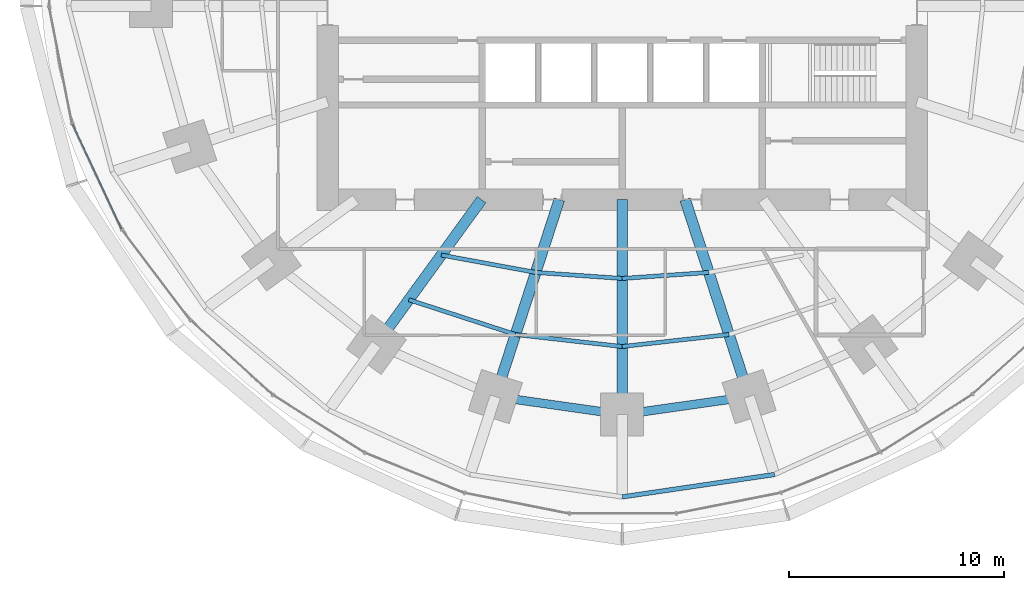
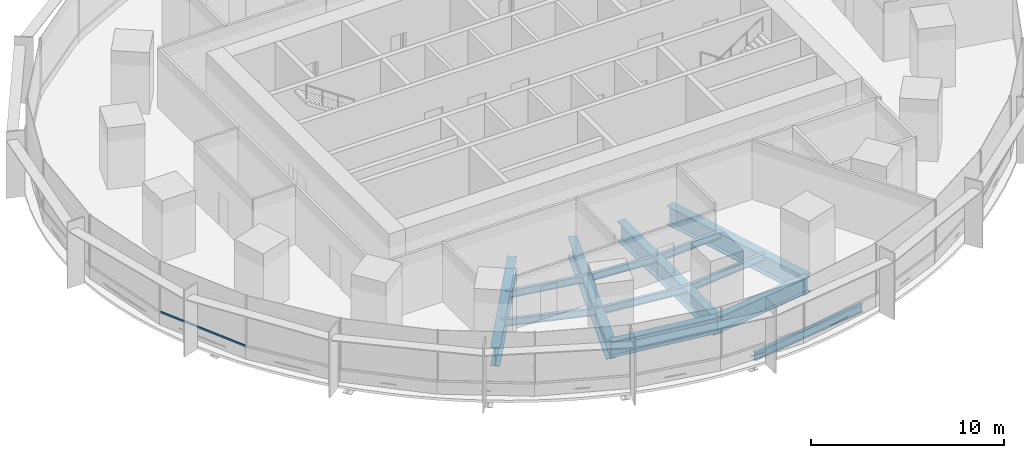
# One storey, part 3 of 15: 13 beams, 1 member, 1 element without a shape of its own.
"""IFC4 building model written with IfcOpenShell, lengths in metres."""

import ifcopenshell
import ifcopenshell.guid

model = None  # the IFC model being written
_history = None  # IfcOwnerHistory: only IFC2X3 demands one
_inside = {}  # id of a spatial element -> (the spatial element, [elements in it])
_under = {}  # id of a project, library or spatial element -> (it, [spatial elements below it])
_declared = {}  # id of a project -> (the project, [libraries it declares])
_typed = {}  # id of a type object -> (the type object, [elements of that type])
_made_of = {}  # id of a material, layer set ... -> (it, [elements and type objects made of it])


def new_model(schema):
    """Start an empty IFC model of exactly this schema.

    Asked for "IFC4X3", IfcOpenShell would pick the latest addendum, in which some entities
    have other attributes; the version numbers below select the first issue.
    IFC2X3 requires an IfcOwnerHistory on every rooted entity: one is made here for all.
    """
    global model, _history
    if schema == "IFC4X3":
        model = ifcopenshell.file(schema_version=(4, 3, 0, 0))
    else:
        model = ifcopenshell.file(schema=schema)
    _inside.clear()
    _under.clear()
    _declared.clear()
    _typed.clear()
    _made_of.clear()
    _history = None
    if model.schema == "IFC2X3":
        org = make("IfcOrganization", Name="unknown")
        user = make(
            "IfcPersonAndOrganization",
            ThePerson=make("IfcPerson", FamilyName="unknown"),
            TheOrganization=org,
        )
        app = make(
            "IfcApplication",
            ApplicationDeveloper=org,
            Version="unknown",
            ApplicationFullName="unknown",
            ApplicationIdentifier="unknown",
        )
        _history = make(
            "IfcOwnerHistory",
            OwningUser=user,
            OwningApplication=app,
            ChangeAction="ADDED",
            CreationDate=0,
        )
    return model


def make(cls, **values):
    """One entity of the class cls with the attributes given. An attribute that is None is left unset."""
    return model.create_entity(
        cls, **{name: value for name, value in values.items() if value is not None}
    )


def rooted(cls, **values):
    """An entity with a GlobalId (a new one), such as an element, a storey or a relation."""
    return make(cls, GlobalId=ifcopenshell.guid.new(), OwnerHistory=_history, **values)


def si_unit(unit_type, name, prefix=None):
    """IfcSIUnit, for example si_unit("LENGTHUNIT", "METRE", prefix="MILLI")."""
    return make("IfcSIUnit", UnitType=unit_type, Prefix=prefix, Name=name)


def assignment(units):
    """IfcUnitAssignment: the units of a project."""
    return None if units is None else make("IfcUnitAssignment", Units=units)


def point(xyz):
    """IfcCartesianPoint."""
    return None if xyz is None else make("IfcCartesianPoint", Coordinates=xyz)


def direction(xyz):
    """IfcDirection."""
    return None if xyz is None else make("IfcDirection", DirectionRatios=xyz)


def frame(location, z_axis=None, x_axis=None):
    """IfcAxis2Placement3D, a coordinate frame: its origin and axes. An axis left out is left unset."""
    return make(
        "IfcAxis2Placement3D",
        Location=point(location),
        Axis=direction(z_axis),
        RefDirection=direction(x_axis),
    )


def frame_2d(location, x_axis=None):
    """IfcAxis2Placement2D, a coordinate frame in the plane: its origin and x axis."""
    return make(
        "IfcAxis2Placement2D", Location=point(location), RefDirection=direction(x_axis)
    )


def origin():
    """The frame at (0, 0, 0) with its axes left unset."""
    return frame((0.0, 0.0, 0.0))


def origin_2d():
    """The frame at (0, 0) in the plane with its x axis left unset."""
    return frame_2d((0.0, 0.0))


def place(relative_to, where):
    """IfcLocalPlacement: puts the frame where relative to a parent placement (None: the world)."""
    return make(
        "IfcLocalPlacement", PlacementRelTo=relative_to, RelativePlacement=where
    )


def context(
    kind, dimensions, precision=None, world=None, true_north=None, identifier=None
):
    """IfcGeometricRepresentationContext, for example the 3D "Model" context."""
    return make(
        "IfcGeometricRepresentationContext",
        ContextIdentifier=identifier,
        ContextType=kind,
        CoordinateSpaceDimension=dimensions,
        Precision=precision,
        WorldCoordinateSystem=world,
        TrueNorth=true_north,
    )


def subcontext(parent, identifier, kind, view, scale=None):
    """IfcGeometricRepresentationSubContext, for example "Body" below "Model"."""
    return make(
        "IfcGeometricRepresentationSubContext",
        ContextIdentifier=identifier,
        ContextType=kind,
        ParentContext=parent,
        TargetScale=scale,
        TargetView=view,
    )


def project(units=None, contexts=None):
    """IfcProject with its units and contexts."""
    return rooted(
        "IfcProject",
        Name="project",
        RepresentationContexts=contexts,
        UnitsInContext=assignment(units),
    )


def spatial(cls, under=None, at=None, **own):
    """A site, building, storey or space (cls), placed at a placement, below another one or the project."""
    s = rooted(cls, ObjectPlacement=at, **own)
    if under is not None:
        _under.setdefault(under.id(), (under, []))[1].append(s)
    return s


def profile(cls, at=None, kind="AREA", **sizes):
    """A parametric profile (cls). Its sizes go by their IFC names, for example OverallWidth=200.0."""
    return make(cls, ProfileType=kind, Position=at, **sizes)


def rectangle(**sizes):
    """IfcRectangleProfileDef."""
    return profile("IfcRectangleProfileDef", **sizes)


def i_section(**sizes):
    """IfcIShapeProfileDef."""
    return profile("IfcIShapeProfileDef", **sizes)


def extrude(swept, where, along, depth):
    """IfcExtrudedAreaSolid: the profile swept, set in the frame where, extruded along a direction by depth."""
    return make(
        "IfcExtrudedAreaSolid",
        SweptArea=swept,
        Position=where,
        ExtrudedDirection=direction(along),
        Depth=depth,
    )


def shape(context_of_items, identifier, shape_type, items):
    """IfcShapeRepresentation: the items that make up one representation, for example the "Body"."""
    return make(
        "IfcShapeRepresentation",
        ContextOfItems=context_of_items,
        RepresentationIdentifier=identifier,
        RepresentationType=shape_type,
        Items=items,
    )


def material(Name=None, Category=None):
    """IfcMaterial."""
    return make("IfcMaterial", Name=Name, Category=Category)


def material_profile(
    of_material, cross_section, Name=None, Category=None, Priority=None
):
    """IfcMaterialProfile: a cross section and its material."""
    return make(
        "IfcMaterialProfile",
        Name=Name,
        Material=of_material,
        Profile=cross_section,
        Priority=Priority,
        Category=Category,
    )


def profile_set(profiles, Name=None, composite=None):
    """IfcMaterialProfileSet."""
    return make(
        "IfcMaterialProfileSet",
        Name=Name,
        MaterialProfiles=profiles,
        CompositeProfile=composite,
    )


def made_of(thing, what):
    """Note that an element or type object is made of a material, layer set ...; save() writes the relation."""
    if what is not None:
        _made_of.setdefault(what.id(), (what, []))[1].append(thing)
    return thing


def type_object(cls, material=None, **own):
    """A type object (cls), such as IfcWallType, which elements share."""
    return made_of(rooted(cls, **own), material)


def element(
    cls,
    number,
    at=None,
    inside=None,
    cuts=None,
    type_object=None,
    material=None,
    context=None,
    identifier="Body",
    shape_type=None,
    held_by="IfcProductDefinitionShape",
    body=None,
    shapes=None,
    **own,
):
    """One element of the class cls, such as IfcWall. Its Tag is "e" and its number.

    at: its placement. inside: the storey or other place that contains it. cuts: it is an
    opening in that element (IfcRelVoidsElement). A single representation is given by context,
    identifier, shape_type and body (its items); several are given by shapes. held_by: the class
    of the entity that holds the representations. save() writes the other relations.
    """
    e = rooted(cls, Tag="e%d" % number, ObjectPlacement=at, **own)
    if body is not None:
        shapes = [shape(context, identifier, shape_type, body)]
    if shapes is not None:
        e.Representation = make(held_by, Representations=shapes)
    if inside is not None:
        _inside.setdefault(inside.id(), (inside, []))[1].append(e)
    if cuts is not None:
        rooted(
            "IfcRelVoidsElement", RelatingBuildingElement=cuts, RelatedOpeningElement=e
        )
    if type_object is not None:
        _typed.setdefault(type_object.id(), (type_object, []))[1].append(e)
    return made_of(e, material)


def aggregate(whole, parts):
    """IfcRelAggregates: a whole, such as a stair, and the parts it consists of."""
    return rooted("IfcRelAggregates", RelatingObject=whole, RelatedObjects=parts)


def save(model, path):
    """Write the relations noted so far, then the file.

    IfcRelAggregates (storeys below a building ...), IfcRelContainedInSpatialStructure (elements
    in a storey), IfcRelDefinesByType, IfcRelAssociatesMaterial and IfcRelDeclares: one each for
    every whole, place, type object, material and project.
    """
    for whole, parts in _under.values():
        aggregate(whole, parts)
    for where, things in _inside.values():
        rooted(
            "IfcRelContainedInSpatialStructure",
            RelatedElements=things,
            RelatingStructure=where,
        )
    for kind, things in _typed.values():
        rooted("IfcRelDefinesByType", RelatedObjects=things, RelatingType=kind)
    for what, things in _made_of.values():
        rooted("IfcRelAssociatesMaterial", RelatedObjects=things, RelatingMaterial=what)
    for by, libraries in _declared.values():
        rooted("IfcRelDeclares", RelatingContext=by, RelatedDefinitions=libraries)
    model.write(path)


model = new_model("IFC4")

# Units and contexts
model_context = context("Model", 3, precision=1e-05, world=origin(), true_north=direction((0.0, 1.0)))
body_context = subcontext(model_context, "Body", "Model", "MODEL_VIEW")
ifc_project = project(units=[si_unit("LENGTHUNIT", "METRE"), si_unit("AREAUNIT", "SQUARE_METRE"), si_unit("VOLUMEUNIT", "CUBIC_METRE"), si_unit("PLANEANGLEUNIT", "RADIAN"), si_unit("MASSUNIT", "GRAM", prefix="KILO")], contexts=[model_context])

# Site, building, storey
site_placement = place(None, origin())
site = spatial("IfcSite", under=ifc_project, at=site_placement, CompositionType="ELEMENT")
building_placement = place(site_placement, origin())
building = spatial("IfcBuilding", under=site, at=building_placement, Name="Marramba Exchange Tower", CompositionType="ELEMENT")
storey_placement = place(building_placement, frame((0.0, 0.0, 78.39990234375)))
storey = spatial("IfcBuildingStorey", under=building, at=storey_placement, Name="L18", CompositionType="ELEMENT", Elevation=78.39990234375)

# Beams
ifc_material_1 = material(Name="Steel AS/NZS 3679.1 grade 300", Category="steel")
ifc_material_profile_1 = material_profile(ifc_material_1, i_section(OverallWidth=0.18994140625, OverallDepth=0.4541015625, WebThickness=0.008544921875, FlangeThickness=0.0126953125, FilletRadius=0.011474609375, at=origin_2d()), Name="460UB67.1")
ifc_profile_set_1 = profile_set([ifc_material_profile_1], Name="Steel AS/NZS 3679.1 grade 300")
beam_type_1 = type_object("IfcBeamType", Name="Floor joist 460UB67.1", PredefinedType="JOIST", material=ifc_profile_set_1)
beam_1_placement = place(storey_placement, frame((-8.41162109375, -11.57763671875, -0.386962890625), z_axis=(0.983455754421, -0.181148500119, 0.0), x_axis=(0.181148500119, 0.983455754421, 0.0)))
element("IfcBeam", 1, at=beam_1_placement, inside=storey, type_object=beam_type_1, Name="Joist L18 bay 14 row 1", PredefinedType="JOIST", context=body_context, shape_type="SweptSolid", body=[
    extrude(i_section(OverallWidth=0.18994140625, OverallDepth=0.4541015625, WebThickness=0.008544921875, FlangeThickness=0.0126953125, FilletRadius=0.011474609375, at=origin_2d()), origin(), (0.0, 0.0, 1.0), 4.4609375),
])
beam_2_placement = place(storey_placement, frame((-9.9208984375, -13.655029296875, -0.386962890625), z_axis=(0.950764024931, -0.309915744834, 0.0), x_axis=(0.309915744834, 0.950764024931, 0.0)))
element("IfcBeam", 2, at=beam_2_placement, inside=storey, type_object=beam_type_1, Name="Joist L18 bay 14 row 2", PredefinedType="JOIST", context=body_context, shape_type="SweptSolid", body=[
    extrude(i_section(OverallWidth=0.18994140625, OverallDepth=0.4541015625, WebThickness=0.008544921875, FlangeThickness=0.0126953125, FilletRadius=0.011474609375, at=origin_2d()), origin(), (0.0, 0.0, 1.0), 5.2158203125),
])
beam_3_placement = place(storey_placement, frame((-4.0244140625, -12.3857421875, -0.386962890625), z_axis=(0.99759625901, -0.069294328838, 0.0), x_axis=(0.069294328838, 0.99759625901, 0.0)))
element("IfcBeam", 3, at=beam_3_placement, inside=storey, type_object=beam_type_1, Name="Joist L18 bay 15 row 1", PredefinedType="JOIST", context=body_context, shape_type="SweptSolid", body=[
    extrude(i_section(OverallWidth=0.18994140625, OverallDepth=0.4541015625, WebThickness=0.008544921875, FlangeThickness=0.0126953125, FilletRadius=0.011474609375, at=origin_2d()), origin(), (0.0, 0.0, 1.0), 4.0341796875),
])
beam_4_placement = place(storey_placement, frame((-4.9619140625, -15.271484375, -0.386962890625), z_axis=(0.993712018573, -0.111966174106, 0.0), x_axis=(0.111966174106, 0.993712018573, 0.0)))
element("IfcBeam", 4, at=beam_4_placement, inside=storey, type_object=beam_type_1, Name="Joist L18 bay 15 row 2", PredefinedType="JOIST", context=body_context, shape_type="SweptSolid", body=[
    extrude(i_section(OverallWidth=0.18994140625, OverallDepth=0.4541015625, WebThickness=0.008544921875, FlangeThickness=0.0126953125, FilletRadius=0.011474609375, at=origin_2d()), origin(), (0.0, 0.0, 1.0), 4.993408203125),
])
beam_5_placement = place(storey_placement, frame((0.0, -12.665283203125, -0.386962890625), z_axis=(0.99759625901, 0.069294328838, 0.0), x_axis=(-0.069294328838, 0.99759625901, 0.0)))
element("IfcBeam", 5, at=beam_5_placement, inside=storey, type_object=beam_type_1, Name="Joist L18 bay 16 row 1", PredefinedType="JOIST", context=body_context, shape_type="SweptSolid", body=[
    extrude(i_section(OverallWidth=0.18994140625, OverallDepth=0.4541015625, WebThickness=0.008544921875, FlangeThickness=0.0126953125, FilletRadius=0.011474609375, at=origin_2d()), origin(), (0.0, 0.0, 1.0), 4.0341796875),
])
beam_6_placement = place(storey_placement, frame((0.0, -15.83056640625, -0.386962890625), z_axis=(0.993712018573, 0.111966174106, 0.0), x_axis=(-0.111966174106, 0.993712018573, 0.0)))
element("IfcBeam", 6, at=beam_6_placement, inside=storey, type_object=beam_type_1, Name="Joist L18 bay 16 row 2", PredefinedType="JOIST", context=body_context, shape_type="SweptSolid", body=[
    extrude(i_section(OverallWidth=0.18994140625, OverallDepth=0.4541015625, WebThickness=0.008544921875, FlangeThickness=0.0126953125, FilletRadius=0.011474609375, at=origin_2d()), origin(), (0.0, 0.0, 1.0), 4.993408203125),
])
ifc_material_2 = material(Name="Steel AS/NZS 3679.2 grade 300", Category="steel")
ifc_material_profile_2 = material_profile(ifc_material_2, i_section(OverallWidth=0.5, OverallDepth=1.199951171875, WebThickness=0.01611328125, FlangeThickness=0.0400390625, at=origin_2d()), Name="1200WB455")
ifc_profile_set_2 = profile_set([ifc_material_profile_2], Name="Steel AS/NZS 3679.2 grade 300")
beam_type_2 = type_object("IfcBeamType", Name="Radial girder 1200WB455", PredefinedType="BEAM", material=ifc_profile_set_2)
beam_7_placement = place(storey_placement, frame((-6.538818359375, -9.0, -0.760009765625), z_axis=(-0.587787877172, -0.809015087282, 0.0), x_axis=(0.809015087282, -0.587787877172, 0.0)))
element("IfcBeam", 7, at=beam_7_placement, inside=storey, type_object=beam_type_2, Name="Radial girder L18 TC14", PredefinedType="BEAM", context=body_context, shape_type="SweptSolid", body=[
    extrude(i_section(OverallWidth=0.5, OverallDepth=1.199951171875, WebThickness=0.01611328125, FlangeThickness=0.0400390625, at=origin_2d()), origin(), (0.0, 0.0, 1.0), 8.322021484375),
])
beam_8_placement = place(storey_placement, frame((-2.92431640625, -9.0, -0.760009765625), z_axis=(-0.309022428985, -0.951054750466, 0.0), x_axis=(0.951054750466, -0.309022428985, 0.0)))
element("IfcBeam", 8, at=beam_8_placement, inside=storey, type_object=beam_type_2, Name="Radial girder L18 TC15", PredefinedType="BEAM", context=body_context, shape_type="SweptSolid", body=[
    extrude(i_section(OverallWidth=0.5, OverallDepth=1.199951171875, WebThickness=0.01611328125, FlangeThickness=0.0400390625, at=origin_2d()), origin(), (0.0, 0.0, 1.0), 9.628173828125),
])
beam_9_placement = place(storey_placement, frame((0.0, -9.0, -0.760009765625), z_axis=(0.0, -1.0, 0.0), x_axis=(1.0, 0.0, 0.0)))
element("IfcBeam", 9, at=beam_9_placement, inside=storey, type_object=beam_type_2, Name="Radial girder L18 TC16", PredefinedType="BEAM", context=body_context, shape_type="SweptSolid", body=[
    extrude(i_section(OverallWidth=0.5, OverallDepth=1.199951171875, WebThickness=0.01611328125, FlangeThickness=0.0400390625, at=origin_2d()), origin(), (0.0, 0.0, 1.0), 9.99609375),
])
beam_10_placement = place(storey_placement, frame((2.92431640625, -9.0, -0.760009765625), z_axis=(0.309022428985, -0.951054750466, 0.0), x_axis=(0.951054750466, 0.309022428985, 0.0)))
element("IfcBeam", 10, at=beam_10_placement, inside=storey, type_object=beam_type_2, Name="Radial girder L18 TC17", PredefinedType="BEAM", context=body_context, shape_type="SweptSolid", body=[
    extrude(i_section(OverallWidth=0.5, OverallDepth=1.199951171875, WebThickness=0.01611328125, FlangeThickness=0.0400390625, at=origin_2d()), origin(), (0.0, 0.0, 1.0), 9.628173828125),
])
ifc_material_profile_3 = material_profile(ifc_material_2, i_section(OverallWidth=0.39990234375, OverallDepth=1.0, WebThickness=0.01611328125, FlangeThickness=0.031982421875, at=origin_2d()), Name="1000WB322")
ifc_profile_set_3 = profile_set([ifc_material_profile_3], Name="Steel AS/NZS 3679.2 grade 300")
beam_type_3 = type_object("IfcBeamType", Name="Ring beam 1000WB322", PredefinedType="SPANDREL", material=ifc_profile_set_3)
for number, where, z_axis, x_axis, name in (
    (11, (-5.899658203125, -18.156982421875, -0.659912109375), (0.990036163016, -0.140813337152, 0.0), (0.140813337152, 0.990036163016, 0.0), "Ring beam L18 TC15-TC16"),
    (12, (0.0, -18.99609375, -0.659912109375), (0.990036163016, 0.140813337152, 0.0), (-0.140813337152, 0.990036163016, 0.0), "Ring beam L18 TC16-TC17"),
):
    element("IfcBeam", number, at=place(storey_placement, frame(where, z_axis=z_axis, x_axis=x_axis)), inside=storey, type_object=beam_type_3, Name=name, PredefinedType="SPANDREL", context=body_context, shape_type="SweptSolid", body=[
        extrude(i_section(OverallWidth=0.39990234375, OverallDepth=1.0, WebThickness=0.01611328125, FlangeThickness=0.031982421875, at=origin_2d()), origin(), (0.0, 0.0, 1.0), 5.958984375),
    ])
ifc_material_profile_4 = material_profile(ifc_material_1, i_section(OverallWidth=0.208984375, OverallDepth=0.528076171875, WebThickness=0.009521484375, FlangeThickness=0.01318359375, FilletRadius=0.013916015625, at=origin_2d()), Name="530UB82.0")
ifc_profile_set_4 = profile_set([ifc_material_profile_4], Name="Steel AS/NZS 3679.1 grade 300")
beam_type_4 = type_object("IfcBeamType", Name="Slab edge beam 530UB82.0", PredefinedType="SPANDREL", material=ifc_profile_set_4)
beam_11_placement = place(storey_placement, frame((0.0, -22.822021484375, -0.423828125), z_axis=(0.989338462178, 0.145634498848, 0.0), x_axis=(-0.145634498848, 0.989338462178, 0.0)))
element("IfcBeam", 13, at=beam_11_placement, inside=storey, type_object=beam_type_4, Name="Slab edge beam L18 TC16-TC17", PredefinedType="SPANDREL", context=body_context, shape_type="SweptSolid", body=[
    extrude(i_section(OverallWidth=0.208984375, OverallDepth=0.528076171875, WebThickness=0.009521484375, FlangeThickness=0.01318359375, FilletRadius=0.013916015625, at=origin_2d()), origin(), (0.0, 0.0, 1.0), 7.153076171875),
])

# Curtain wall, member
ifc_material_3 = material(Name="Aluminium framing, bronze anodised", Category="aluminium")
curtain_wall_type = type_object("IfcCurtainWallType", Name="Trading floor ribbon curtain wall", PredefinedType="USERDEFINED", material=ifc_material_3)
curtain_wall_placement = place(storey_placement, origin())
curtain_wall = element("IfcCurtainWall", 14, at=curtain_wall_placement, inside=storey, type_object=curtain_wall_type, Name="Curtain wall CW3 L18 F16-F20", ObjectType="RIBBON CURTAIN WALL", PredefinedType="USERDEFINED")
ifc_material_4 = material(Name="Aluminium transom, bronze anodised", Category="aluminium")
ifc_material_profile_5 = material_profile(ifc_material_4, rectangle(XDim=0.06005859375, YDim=0.1201171875, at=origin_2d()), Name="CW3 transom 60x120")
ifc_profile_set_5 = profile_set([ifc_material_profile_5], Name="Aluminium transom, bronze anodised")
member_type = type_object("IfcMemberType", Name="Trading floor ribbon curtain wall transom", PredefinedType="USERDEFINED", material=ifc_profile_set_5)
member_placement = place(storey_placement, frame((-25.559326171875, -5.492431640625, 0.830078125), z_axis=(0.423494101671, -0.905898860718, 0.0), x_axis=(0.905898860718, 0.423494101671, 0.0)))
member = element("IfcMember", 15, at=member_placement, type_object=member_type, Name="CW3 sill transom", ObjectType="TRANSOM", PredefinedType="USERDEFINED", context=body_context, shape_type="SweptSolid", body=[
    extrude(rectangle(XDim=0.06005859375, YDim=0.1201171875, at=origin_2d()), origin(), (0.0, 0.0, 1.0), 5.379150390625),
])
aggregate(curtain_wall, [member])

save(model, "model.ifc")
